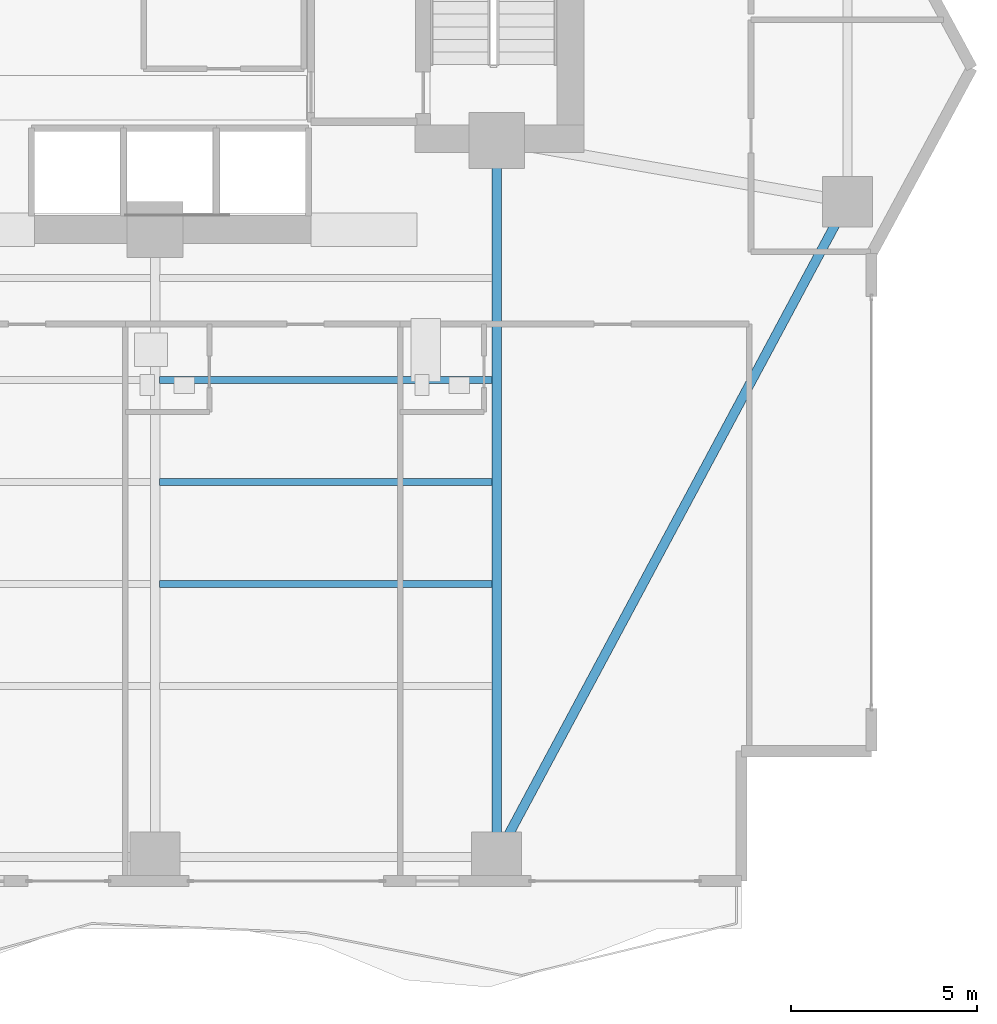
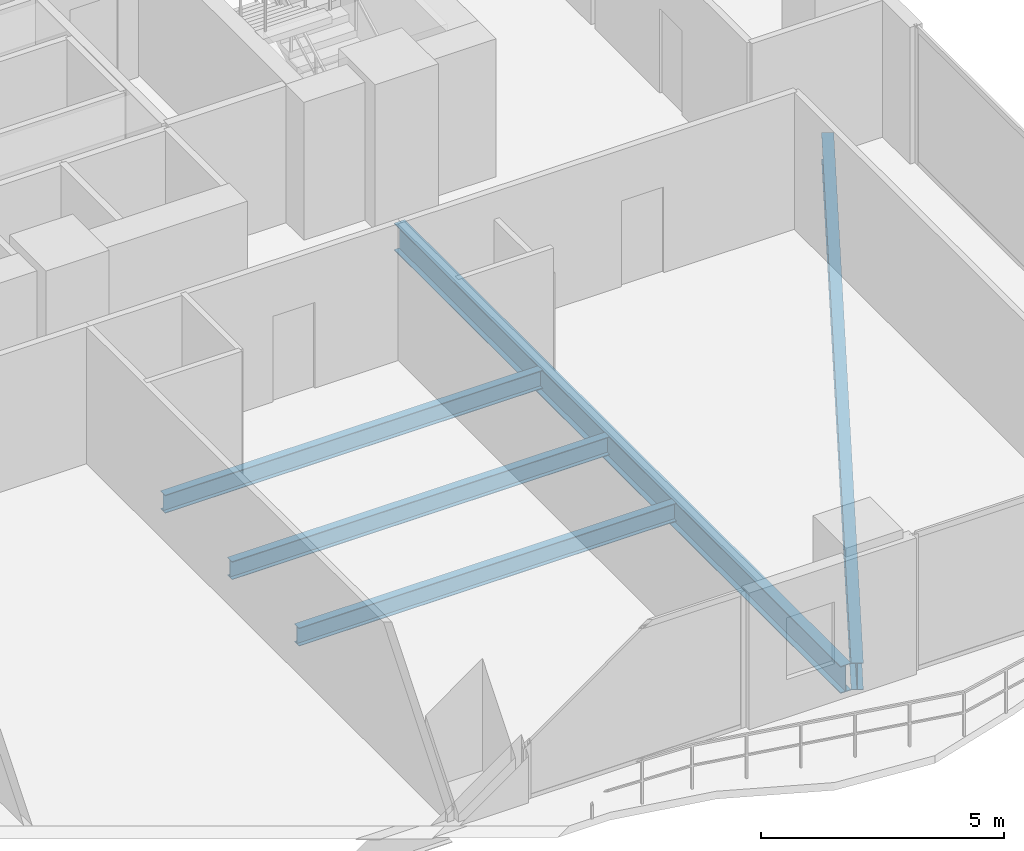
# One storey, part 10 of 27: 5 beams.
"""IFC4 building model written with IfcOpenShell, lengths in metres."""

from ifc_helpers import new_model, si_unit, direction, frame, origin, origin_2d, place, context, subcontext, project, spatial, i_section, extrude, material, material_profile, profile_set, type_object, element, save


model = new_model("IFC4")

# Units and contexts
model_context = context("Model", 3, precision=1e-05, world=origin(), true_north=direction((0.0, 1.0)))
body_context = subcontext(model_context, "Body", "Model", "MODEL_VIEW")
ifc_project = project(units=[si_unit("LENGTHUNIT", "METRE"), si_unit("AREAUNIT", "SQUARE_METRE"), si_unit("VOLUMEUNIT", "CUBIC_METRE"), si_unit("PLANEANGLEUNIT", "RADIAN"), si_unit("MASSUNIT", "GRAM", prefix="KILO")], contexts=[model_context])

# Site, building, storey
site_placement = place(None, origin())
site = spatial("IfcSite", under=ifc_project, at=site_placement, CompositionType="ELEMENT")
building_placement = place(site_placement, origin())
building = spatial("IfcBuilding", under=site, at=building_placement, Name="Zuhayl Quay Hotel", CompositionType="ELEMENT")
storey_placement = place(building_placement, frame((0.0, 0.0, 102.949951171875)))
storey = spatial("IfcBuildingStorey", under=building, at=storey_placement, Name="L25", CompositionType="ELEMENT", Elevation=102.949951171875)

# Beams
ifc_material = material(Name="Steel ASTM A992 Grade 50", Category="steel")
ifc_material_profile_1 = material_profile(ifc_material, i_section(OverallWidth=0.25390625, OverallDepth=0.68310546875, WebThickness=0.012451171875, FlangeThickness=0.018798828125, at=origin_2d()), Name="W27X94")
ifc_profile_set_1 = profile_set([ifc_material_profile_1], Name="Steel ASTM A992 Grade 50")
beam_type_1 = type_object("IfcBeamType", Name="BM_B2_W27X94", PredefinedType="BEAM", material=ifc_profile_set_1)
beam_1_placement = place(storey_placement, frame((14.035888671875, -14.30908203125, -0.5615234375), z_axis=(0.472017301959, 0.88158928456, 0.0), x_axis=(-0.88158928456, 0.472017301959, 0.0)))
element("IfcBeam", 1, at=beam_1_placement, inside=storey, type_object=beam_type_1, Name="L25 Floor Beam RG_L25_04", PredefinedType="BEAM", context=body_context, shape_type="SweptSolid", body=[
    extrude(i_section(OverallWidth=0.25390625, OverallDepth=0.68310546875, WebThickness=0.012451171875, FlangeThickness=0.018798828125, at=origin_2d()), origin(), (0.0, 0.0, 1.0), 19.0205078125),
])
beam_2_placement = place(storey_placement, frame((13.800048828125, -14.25, -0.5615234375), z_axis=(0.0, 1.0, 0.0), x_axis=(-1.0, 0.0, 0.0)))
element("IfcBeam", 2, at=beam_2_placement, inside=storey, type_object=beam_type_1, Name="L25 Floor Beam FG_S_L25_4", PredefinedType="BEAM", context=body_context, shape_type="SweptSolid", body=[
    extrude(i_section(OverallWidth=0.25390625, OverallDepth=0.68310546875, WebThickness=0.012451171875, FlangeThickness=0.018798828125, at=origin_2d()), origin(), (0.0, 0.0, 1.0), 18.35009765625),
])
ifc_material_profile_2 = material_profile(ifc_material, i_section(OverallWidth=0.18994140625, OverallDepth=0.45703125, WebThickness=0.009033203125, FlangeThickness=0.014404296875, at=origin_2d()), Name="W18X50")
ifc_profile_set_2 = profile_set([ifc_material_profile_2], Name="Steel ASTM A992 Grade 50")
beam_type_2 = type_object("IfcBeamType", Name="BM_J2_W18X50", PredefinedType="JOIST", material=ifc_profile_set_2)
for number, where, z_axis, x_axis, name in (
    (3, (4.718994140625, -7.39990234375, -0.448486328125), (1.0, 0.0, 0.0), (0.0, 1.0, 0.0), "L25 Floor Beam FJ_L25_6_3"),
    (4, (4.718994140625, -4.64990234375, -0.448486328125), (1.0, 0.0, 0.0), (0.0, 1.0, 0.0), "L25 Floor Beam FJ_L25_7_3"),
    (5, (4.718994140625, -1.89990234375, -0.448486328125), (1.0, 0.0, 0.0), (0.0, 1.0, 0.0), "L25 Floor Beam FJ_L25_8_3"),
):
    element("IfcBeam", number, at=place(storey_placement, frame(where, z_axis=z_axis, x_axis=x_axis)), inside=storey, type_object=beam_type_2, Name=name, PredefinedType="JOIST", context=body_context, shape_type="SweptSolid", body=[
        extrude(i_section(OverallWidth=0.18994140625, OverallDepth=0.45703125, WebThickness=0.009033203125, FlangeThickness=0.014404296875, at=origin_2d()), origin(), (0.0, 0.0, 1.0), 8.9619140625),
    ])

save(model, "model.ifc")
